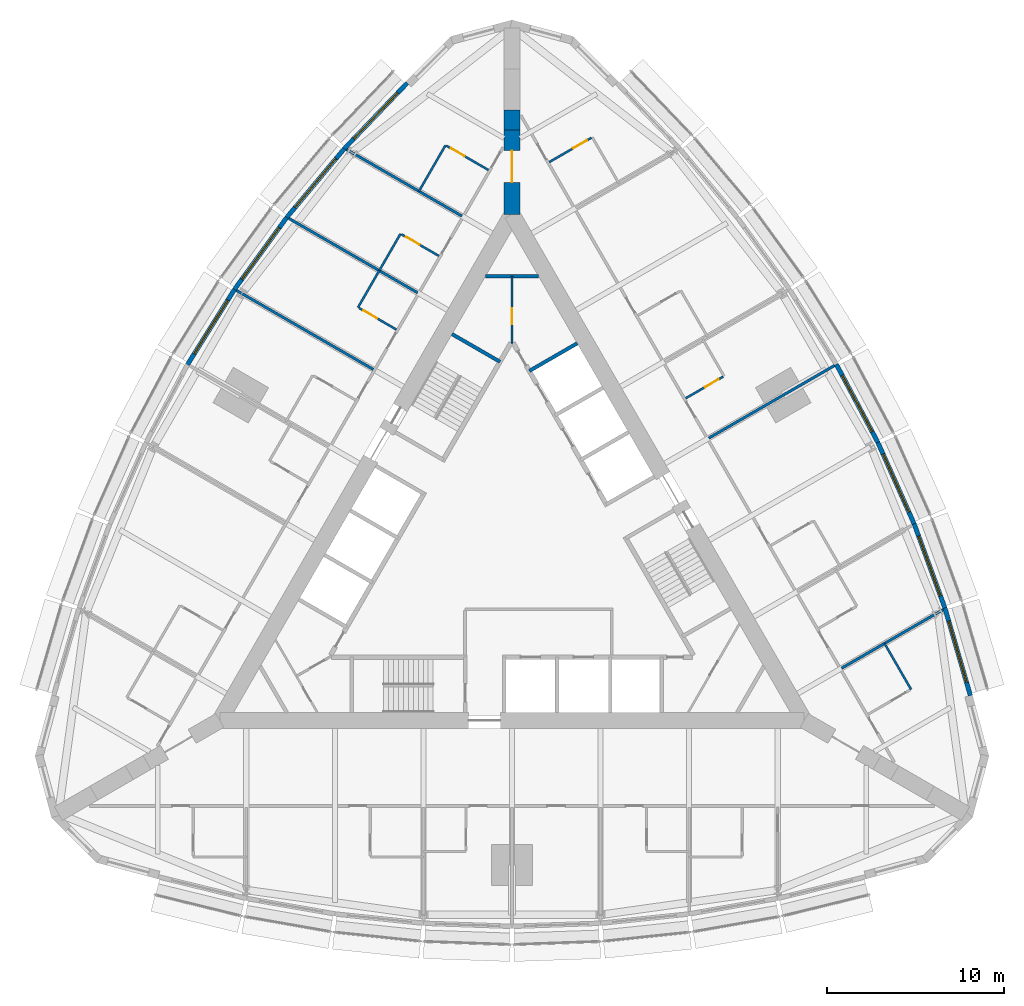
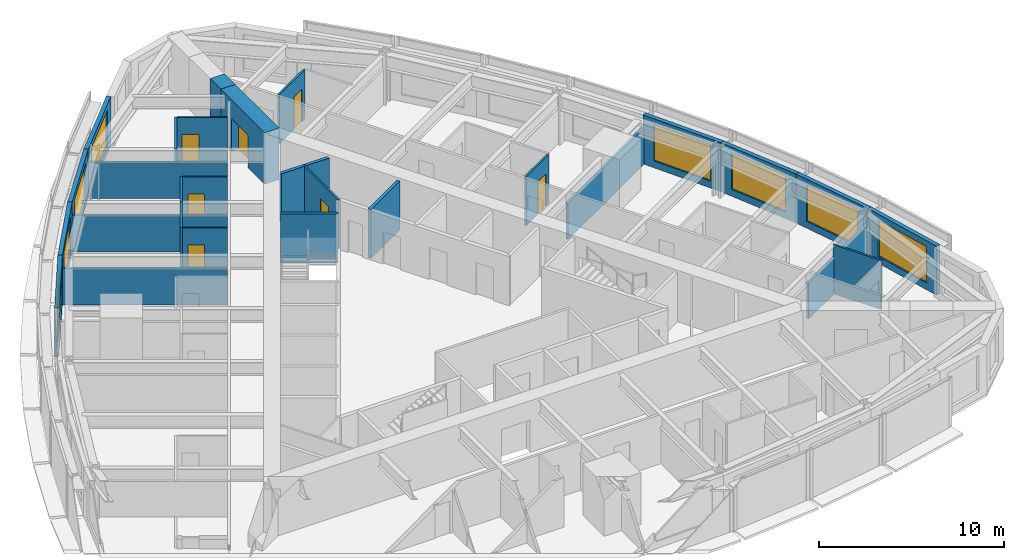
# One storey, part 12 of 14: 28 walls, 8 windows, 7 doors, 15 openings.
"""IFC4 building model written with IfcOpenShell, lengths in metres."""

from ifc_helpers import new_model, si_unit, direction, frame, frame_2d, origin, place, context, subcontext, project, spatial, rectangle, extrude, material, layer, layer_set, type_object, element, fill, save


model = new_model("IFC4")

# Units and contexts
model_context = context("Model", 3, precision=1e-05, world=origin(), true_north=direction((0.0, 1.0)))
body_context = subcontext(model_context, "Body", "Model", "MODEL_VIEW")
ifc_project = project(units=[si_unit("LENGTHUNIT", "METRE"), si_unit("AREAUNIT", "SQUARE_METRE"), si_unit("VOLUMEUNIT", "CUBIC_METRE"), si_unit("PLANEANGLEUNIT", "RADIAN"), si_unit("MASSUNIT", "GRAM", prefix="KILO")], contexts=[model_context])

# Site, building, storey
site_placement = place(None, origin())
site = spatial("IfcSite", under=ifc_project, at=site_placement, CompositionType="ELEMENT")
building_placement = place(site_placement, origin())
building = spatial("IfcBuilding", under=site, at=building_placement, Name="Trikona Tower", CompositionType="ELEMENT")
storey_placement = place(building_placement, frame((0.0, 0.0, 131.699951171875)))
storey = spatial("IfcBuildingStorey", under=building, at=storey_placement, Name="L34", CompositionType="ELEMENT", Elevation=131.699951171875)

# Wall
ifc_material_1 = material(Name="Metal stud and cement board", Category="gypsum")
ifc_layer_1 = layer(ifc_material_1, 0.1201171875)
ifc_layer_set_1 = layer_set([ifc_layer_1], Name="Bathroom wall 120")
wall_type_1 = type_object("IfcWallType", Name="Bathroom wall 120", PredefinedType="PLUMBINGWALL", material=ifc_layer_set_1)
wall_1_placement = place(storey_placement, frame((22.53271484375, -7.775390625, 0.0), z_axis=(0.0, 0.0, 1.0), x_axis=(-0.499990139034, 0.866031096941, 0.0)))
element("IfcWall", 1, at=wall_1_placement, inside=storey, type_object=wall_type_1, Name="Bathroom wall 3406", PredefinedType="PLUMBINGWALL", context=body_context, shape_type="SweptSolid", body=[
    extrude(rectangle(XDim=3.0, YDim=0.1201171875, at=frame_2d((1.5, 0.0))), origin(), (0.0, 0.0, 1.0), 3.235107421875),
])

# Wall, opening, door
wall_2_placement = place(storey_placement, frame((9.807861328125, 8.664794921875, 0.0), z_axis=(0.0, 0.0, 1.0), x_axis=(0.866023955769, 0.500002508028, 0.0)))
wall_2 = element("IfcWall", 2, at=wall_2_placement, inside=storey, type_object=wall_type_1, Name="Bathroom wall 3409", PredefinedType="PLUMBINGWALL", context=body_context, shape_type="SweptSolid", body=[
    extrude(rectangle(XDim=2.43994140625, YDim=0.1201171875, at=frame_2d((1.219970703125, 0.0))), origin(), (0.0, 0.0, 1.0), 3.235107421875),
])
opening_1_placement = place(wall_2_placement, frame((1.25, 0.0, 0.0)))
opening_1 = element("IfcOpeningElement", 3, at=opening_1_placement, cuts=wall_2, Name="Opening D2", PredefinedType="OPENING", context=body_context, shape_type="SweptSolid", body=[
    extrude(rectangle(XDim=0.89990234375, YDim=2.1298828125, at=frame_2d((0.449951171875, 1.06494140625))), frame((0.0, 0.070068359375, 0.0), z_axis=(0.0, -1.0, 0.0), x_axis=(1.0, 0.0, 0.0)), (0.0, 0.0, 1.0), 0.14013671875),
])
ifc_material_2 = material(Name="Steel door frame with solid-core timber leaf", Category="steel")
door_type_1 = type_object("IfcDoorType", Name="Bathroom door 900x2130", OperationType="SLIDING_TO_LEFT", PredefinedType="DOOR", material=ifc_material_2)
door_1_placement = place(opening_1_placement, origin())
door_1 = element("IfcDoor", 4, at=door_1_placement, inside=storey, type_object=door_type_1, Name="Bathroom door 3409", OperationType="SLIDING_TO_LEFT", OverallHeight=2.1298828125, OverallWidth=0.89990234375, PredefinedType="DOOR", context=body_context, shape_type="SweptSolid", body=[
    extrude(rectangle(XDim=0.89990234375, YDim=2.1298828125, at=frame_2d((0.449951171875, 1.06494140625))), frame((0.0, 0.02490234375, 0.0), z_axis=(0.0, -1.0, 0.0), x_axis=(1.0, 0.0, 0.0)), (0.0, 0.0, 1.0), 0.050048828125),
])
fill(opening_1, door_1)

wall_3_placement = place(storey_placement, frame((2.10791015625, 22.001708984375, 0.0), z_axis=(0.0, 0.0, 1.0), x_axis=(0.866035715982, 0.499982138324, 0.0)))
wall_3 = element("IfcWall", 5, at=wall_3_placement, inside=storey, type_object=wall_type_1, Name="Bathroom wall 3411", PredefinedType="PLUMBINGWALL", context=body_context, shape_type="SweptSolid", body=[
    extrude(rectangle(XDim=2.73974609375, YDim=0.1201171875, at=frame_2d((1.369873046875, 0.0))), origin(), (0.0, 0.0, 1.0), 3.235107421875),
])
opening_2_placement = place(wall_3_placement, frame((1.550048828125, 0.0, 0.0)))
opening_2 = element("IfcOpeningElement", 6, at=opening_2_placement, cuts=wall_3, Name="Opening D2", PredefinedType="OPENING", context=body_context, shape_type="SweptSolid", body=[
    extrude(rectangle(XDim=0.89990234375, YDim=2.1298828125, at=frame_2d((0.449951171875, 1.06494140625))), frame((0.0, 0.070068359375, 0.0), z_axis=(0.0, -1.0, 0.0), x_axis=(1.0, 0.0, 0.0)), (0.0, 0.0, 1.0), 0.14013671875),
])
door_2_placement = place(opening_2_placement, origin())
door_2 = element("IfcDoor", 7, at=door_2_placement, inside=storey, type_object=door_type_1, Name="Bathroom door 3411", OperationType="SLIDING_TO_LEFT", OverallHeight=2.1298828125, OverallWidth=0.89990234375, PredefinedType="DOOR", context=body_context, shape_type="SweptSolid", body=[
    extrude(rectangle(XDim=0.89990234375, YDim=2.1298828125, at=frame_2d((0.449951171875, 1.06494140625))), frame((0.0, 0.02490234375, 0.0), z_axis=(0.0, -1.0, 0.0), x_axis=(1.0, 0.0, 0.0)), (0.0, 0.0, 1.0), 0.050048828125),
])
fill(opening_2, door_2)

# Wall
wall_4_placement = place(storey_placement, frame((-3.75341796875, 22.95166015625, 0.0), z_axis=(0.0, 0.0, 1.0), x_axis=(-0.499990139034, -0.866031096941, 0.0)))
element("IfcWall", 8, at=wall_4_placement, inside=storey, type_object=wall_type_1, Name="Bathroom wall 3412", PredefinedType="PLUMBINGWALL", context=body_context, shape_type="SweptSolid", body=[
    extrude(rectangle(XDim=3.0, YDim=0.1201171875, at=frame_2d((1.5, 0.0))), origin(), (0.0, 0.0, 1.0), 3.235107421875),
])

# Wall, opening, door
wall_5_placement = place(storey_placement, frame((-1.32861328125, 21.551513671875, 0.0), z_axis=(0.0, 0.0, 1.0), x_axis=(-0.865997131366, 0.500048966069, 0.0)))
wall_5 = element("IfcWall", 9, at=wall_5_placement, inside=storey, type_object=wall_type_1, Name="Bathroom wall 3412", PredefinedType="PLUMBINGWALL", context=body_context, shape_type="SweptSolid", body=[
    extrude(rectangle(XDim=2.739990234375, YDim=0.1201171875, at=frame_2d((1.3701171875, 0.0))), origin(), (0.0, 0.0, 1.0), 3.235107421875),
])
opening_3_placement = place(wall_5_placement, frame((1.550048828125, 0.0, 0.0)))
opening_3 = element("IfcOpeningElement", 10, at=opening_3_placement, cuts=wall_5, Name="Opening D2", PredefinedType="OPENING", context=body_context, shape_type="SweptSolid", body=[
    extrude(rectangle(XDim=0.89990234375, YDim=2.1298828125, at=frame_2d((0.449951171875, 1.06494140625))), frame((0.0, 0.070068359375, 0.0), z_axis=(0.0, -1.0, 0.0), x_axis=(1.0, 0.0, 0.0)), (0.0, 0.0, 1.0), 0.14013671875),
])
door_3_placement = place(opening_3_placement, origin())
door_3 = element("IfcDoor", 11, at=door_3_placement, inside=storey, type_object=door_type_1, Name="Bathroom door 3412", OperationType="SLIDING_TO_LEFT", OverallHeight=2.1298828125, OverallWidth=0.89990234375, PredefinedType="DOOR", context=body_context, shape_type="SweptSolid", body=[
    extrude(rectangle(XDim=0.89990234375, YDim=2.1298828125, at=frame_2d((0.449951171875, 1.06494140625))), frame((0.0, 0.02490234375, 0.0), z_axis=(0.0, -1.0, 0.0), x_axis=(1.0, 0.0, 0.0)), (0.0, 0.0, 1.0), 0.050048828125),
])
fill(opening_3, door_3)

# Wall
wall_6_placement = place(storey_placement, frame((-6.29345703125, 17.951904296875, 0.0), z_axis=(0.0, 0.0, 1.0), x_axis=(-0.499957262057, -0.866050077142, 0.0)))
element("IfcWall", 12, at=wall_6_placement, inside=storey, type_object=wall_type_1, Name="Bathroom wall 3413", PredefinedType="PLUMBINGWALL", context=body_context, shape_type="SweptSolid", body=[
    extrude(rectangle(XDim=2.400146484375, YDim=0.1201171875, at=frame_2d((1.2001953125, 0.0))), origin(), (0.0, 0.0, 1.0), 3.235107421875),
])

# Wall, opening, door
wall_7_placement = place(storey_placement, frame((-4.12841796875, 16.701904296875, 0.0), z_axis=(0.0, 0.0, 1.0), x_axis=(-0.866048967903, 0.499959183527, 0.0)))
wall_7 = element("IfcWall", 13, at=wall_7_placement, inside=storey, type_object=wall_type_1, Name="Bathroom wall 3413", PredefinedType="PLUMBINGWALL", context=body_context, shape_type="SweptSolid", body=[
    extrude(rectangle(XDim=2.440185546875, YDim=0.1201171875, at=frame_2d((1.22021484375, 0.0))), origin(), (0.0, 0.0, 1.0), 3.235107421875),
])
opening_4_placement = place(wall_7_placement, frame((1.25, 0.0, 0.0)))
opening_4 = element("IfcOpeningElement", 14, at=opening_4_placement, cuts=wall_7, Name="Opening D2", PredefinedType="OPENING", context=body_context, shape_type="SweptSolid", body=[
    extrude(rectangle(XDim=0.89990234375, YDim=2.1298828125, at=frame_2d((0.449951171875, 1.06494140625))), frame((0.0, 0.070068359375, 0.0), z_axis=(0.0, -1.0, 0.0), x_axis=(1.0, 0.0, 0.0)), (0.0, 0.0, 1.0), 0.14013671875),
])
door_4_placement = place(opening_4_placement, origin())
door_4 = element("IfcDoor", 15, at=door_4_placement, inside=storey, type_object=door_type_1, Name="Bathroom door 3413", OperationType="SLIDING_TO_LEFT", OverallHeight=2.1298828125, OverallWidth=0.89990234375, PredefinedType="DOOR", context=body_context, shape_type="SweptSolid", body=[
    extrude(rectangle(XDim=0.89990234375, YDim=2.1298828125, at=frame_2d((0.449951171875, 1.06494140625))), frame((0.0, 0.02490234375, 0.0), z_axis=(0.0, -1.0, 0.0), x_axis=(1.0, 0.0, 0.0)), (0.0, 0.0, 1.0), 0.050048828125),
])
fill(opening_4, door_4)

# Wall
wall_8_placement = place(storey_placement, frame((-7.493408203125, 15.873291015625, 0.0), z_axis=(0.0, 0.0, 1.0), x_axis=(-0.500077600433, -0.865980596518, 0.0)))
element("IfcWall", 16, at=wall_8_placement, inside=storey, type_object=wall_type_1, Name="Bathroom wall 3414", PredefinedType="PLUMBINGWALL", context=body_context, shape_type="SweptSolid", body=[
    extrude(rectangle(XDim=2.39990234375, YDim=0.1201171875, at=frame_2d((1.199951171875, 0.0))), origin(), (0.0, 0.0, 1.0), 3.235107421875),
])

# Wall, opening, door
wall_9_placement = place(storey_placement, frame((-6.528564453125, 12.544921875, 0.0), z_axis=(0.0, 0.0, 1.0), x_axis=(-0.866023955769, 0.500002508028, 0.0)))
wall_9 = element("IfcWall", 17, at=wall_9_placement, inside=storey, type_object=wall_type_1, Name="Bathroom wall 3414", PredefinedType="PLUMBINGWALL", context=body_context, shape_type="SweptSolid", body=[
    extrude(rectangle(XDim=2.43994140625, YDim=0.1201171875, at=frame_2d((1.219970703125, 0.0))), origin(), (0.0, 0.0, 1.0), 3.235107421875),
])
opening_5_placement = place(wall_9_placement, frame((1.25, 0.0, 0.0)))
opening_5 = element("IfcOpeningElement", 18, at=opening_5_placement, cuts=wall_9, Name="Opening D2", PredefinedType="OPENING", context=body_context, shape_type="SweptSolid", body=[
    extrude(rectangle(XDim=0.89990234375, YDim=2.1298828125, at=frame_2d((0.449951171875, 1.06494140625))), frame((0.0, 0.070068359375, 0.0), z_axis=(0.0, -1.0, 0.0), x_axis=(1.0, 0.0, 0.0)), (0.0, 0.0, 1.0), 0.14013671875),
])
door_5_placement = place(opening_5_placement, origin())
door_5 = element("IfcDoor", 19, at=door_5_placement, inside=storey, type_object=door_type_1, Name="Bathroom door 3414", OperationType="SLIDING_TO_LEFT", OverallHeight=2.1298828125, OverallWidth=0.89990234375, PredefinedType="DOOR", context=body_context, shape_type="SweptSolid", body=[
    extrude(rectangle(XDim=0.89990234375, YDim=2.1298828125, at=frame_2d((0.449951171875, 1.06494140625))), frame((0.0, 0.02490234375, 0.0), z_axis=(0.0, -1.0, 0.0), x_axis=(1.0, 0.0, 0.0)), (0.0, 0.0, 1.0), 0.050048828125),
])
fill(opening_5, door_5)

ifc_material_3 = material(Name="Concrete f'c 10000 psi", Category="concrete")
ifc_layer_2 = layer(ifc_material_3, 0.89990234375)
ifc_layer_set_2 = layer_set([ifc_layer_2], Name="Buttress wall 900")
wall_type_2 = type_object("IfcWallType", Name="Buttress wall 900", PredefinedType="SHEAR", material=ifc_layer_set_2)
wall_10_placement = place(storey_placement, frame((0.0, 19.052490234375, 0.0), z_axis=(0.0, 0.0, 1.0), x_axis=(0.0, 1.0, 0.0)))
wall_10 = element("IfcWall", 20, at=wall_10_placement, inside=storey, type_object=wall_type_2, Name="Buttress wall 2", PredefinedType="SHEAR", context=body_context, shape_type="SweptSolid", body=[
    extrude(rectangle(XDim=4.74609375, YDim=0.89990234375, at=frame_2d((2.373046875, 0.0))), origin(), (0.0, 0.0, 1.0), 3.400146484375),
])
opening_6_placement = place(wall_10_placement, frame((1.800048828125, 0.0, 0.0)))
opening_6 = element("IfcOpeningElement", 21, at=opening_6_placement, cuts=wall_10, Name="Opening D10", PredefinedType="OPENING", context=body_context, shape_type="SweptSolid", body=[
    extrude(rectangle(XDim=1.800048828125, YDim=2.1298828125, at=frame_2d((0.89990234375, 1.06494140625))), frame((0.0, 0.4599609375, 0.0), z_axis=(0.0, -1.0, 0.0), x_axis=(1.0, 0.0, 0.0)), (0.0, 0.0, 1.0), 0.919921875),
])
ifc_material_4 = material(Name="Hollow metal door and frame", Category="steel")
door_type_2 = type_object("IfcDoorType", Name="Cross-corridor door pair 1800x2130", OperationType="DOUBLE_DOOR_DOUBLE_SWING", PredefinedType="DOOR", material=ifc_material_4)
door_6_placement = place(opening_6_placement, origin())
door_6 = element("IfcDoor", 22, at=door_6_placement, inside=storey, type_object=door_type_2, Name="Cross-corridor door 2", OperationType="DOUBLE_DOOR_DOUBLE_SWING", OverallHeight=2.1298828125, OverallWidth=1.800048828125, PredefinedType="DOOR", context=body_context, shape_type="SweptSolid", body=[
    extrude(rectangle(XDim=1.800048828125, YDim=2.1298828125, at=frame_2d((0.89990234375, 1.06494140625))), frame((0.0, 0.02490234375, 0.0), z_axis=(0.0, -1.0, 0.0), x_axis=(1.0, 0.0, 0.0)), (0.0, 0.0, 1.0), 0.050048828125),
])
fill(opening_6, door_6)

# Wall
wall_11_placement = place(storey_placement, frame((0.0, 23.798583984375, 0.0), z_axis=(0.0, 0.0, 1.0), x_axis=(0.0, 1.0, 0.0)))
element("IfcWall", 23, at=wall_11_placement, inside=storey, type_object=wall_type_2, Name="Buttress wall 2 part 2", PredefinedType="SHEAR", context=body_context, shape_type="SweptSolid", body=[
    extrude(rectangle(XDim=1.15478515625, YDim=0.89990234375, at=frame_2d((0.577392578125, 0.0))), origin(), (0.0, 0.0, 1.0), 3.400146484375),
])

# Wall, opening, window
ifc_material_5 = material(Name="Insulated precast concrete spandrel panel", Category="concrete")
ifc_layer_3 = layer(ifc_material_5, 0.25)
ifc_layer_set_3 = layer_set([ifc_layer_3], Name="Inner skin wall 250")
wall_type_3 = type_object("IfcWallType", Name="Inner skin wall 250", PredefinedType="STANDARD", material=ifc_layer_set_3)
wall_12_placement = place(storey_placement, frame((25.8798828125, -8.117919921875, 0.0), z_axis=(0.0, 0.0, 1.0), x_axis=(-0.279528287117, 0.960137457191, 0.0)))
wall_12 = element("IfcWall", 24, at=wall_12_placement, inside=storey, type_object=wall_type_3, Name="External wall L34-12", PredefinedType="STANDARD", context=body_context, shape_type="SweptSolid", body=[
    extrude(rectangle(XDim=5.14794921875, YDim=0.25, at=frame_2d((2.573974609375, 0.0))), origin(), (0.0, 0.0, 1.0), 3.235107421875),
])
opening_7_placement = place(wall_12_placement, frame((0.77392578125, 0.0, 0.449951171875)))
opening_7 = element("IfcOpeningElement", 25, at=opening_7_placement, cuts=wall_12, Name="Opening W3624", PredefinedType="OPENING", context=body_context, shape_type="SweptSolid", body=[
    extrude(rectangle(XDim=3.60009765625, YDim=2.39990234375, at=frame_2d((1.800048828125, 1.199951171875))), frame((0.0, 0.135009765625, 0.0), z_axis=(0.0, -1.0, 0.0), x_axis=(1.0, 0.0, 0.0)), (0.0, 0.0, 1.0), 0.27001953125),
])
ifc_material_6 = material(Name="Aluminium-framed double glazing", Category="aluminium")
window_type = type_object("IfcWindowType", Name="Window 3600x2400", PartitioningType="SINGLE_PANEL", PredefinedType="WINDOW", material=ifc_material_6)
window_1_placement = place(opening_7_placement, origin())
window_1 = element("IfcWindow", 26, at=window_1_placement, inside=storey, type_object=window_type, Name="Window 3406", OverallHeight=2.39990234375, OverallWidth=3.60009765625, PartitioningType="SINGLE_PANEL", PredefinedType="WINDOW", context=body_context, shape_type="SweptSolid", body=[
    extrude(rectangle(XDim=3.60009765625, YDim=2.39990234375, at=frame_2d((1.800048828125, 1.199951171875))), frame((0.0, 0.030029296875, 0.0), z_axis=(0.0, -1.0, 0.0), x_axis=(1.0, 0.0, 0.0)), (0.0, 0.0, 1.0), 0.06005859375),
])
fill(opening_7, window_1)

wall_13_placement = place(storey_placement, frame((24.443603515625, -3.18310546875, 0.0), z_axis=(0.0, 0.0, 1.0), x_axis=(-0.343225593282, 0.939252996863, 0.0)))
wall_13 = element("IfcWall", 27, at=wall_13_placement, inside=storey, type_object=wall_type_3, Name="External wall L34-13", PredefinedType="STANDARD", context=body_context, shape_type="SweptSolid", body=[
    extrude(rectangle(XDim=5.075927734375, YDim=0.25, at=frame_2d((2.5380859375, 0.0))), origin(), (0.0, 0.0, 1.0), 3.235107421875),
])
opening_8_placement = place(wall_13_placement, frame((0.738037109375, 0.0, 0.449951171875)))
opening_8 = element("IfcOpeningElement", 28, at=opening_8_placement, cuts=wall_13, Name="Opening W3624", PredefinedType="OPENING", context=body_context, shape_type="SweptSolid", body=[
    extrude(rectangle(XDim=3.60009765625, YDim=2.39990234375, at=frame_2d((1.800048828125, 1.199951171875))), frame((0.0, 0.135009765625, 0.0), z_axis=(0.0, -1.0, 0.0), x_axis=(1.0, 0.0, 0.0)), (0.0, 0.0, 1.0), 0.27001953125),
])
window_2_placement = place(opening_8_placement, origin())
window_2 = element("IfcWindow", 29, at=window_2_placement, inside=storey, type_object=window_type, Name="Window 3407", OverallHeight=2.39990234375, OverallWidth=3.60009765625, PartitioningType="SINGLE_PANEL", PredefinedType="WINDOW", context=body_context, shape_type="SweptSolid", body=[
    extrude(rectangle(XDim=3.60009765625, YDim=2.39990234375, at=frame_2d((1.800048828125, 1.199951171875))), frame((0.0, 0.030029296875, 0.0), z_axis=(0.0, -1.0, 0.0), x_axis=(1.0, 0.0, 0.0)), (0.0, 0.0, 1.0), 0.06005859375),
])
fill(opening_8, window_2)

wall_14_placement = place(storey_placement, frame((22.70458984375, 1.576416015625, 0.0), z_axis=(0.0, 0.0, 1.0), x_axis=(-0.406832200364, 0.913502906808, 0.0)))
wall_14 = element("IfcWall", 30, at=wall_14_placement, inside=storey, type_object=wall_type_3, Name="External wall L34-14", PredefinedType="STANDARD", context=body_context, shape_type="SweptSolid", body=[
    extrude(rectangle(XDim=5.027587890625, YDim=0.25, at=frame_2d((2.513671875, 0.0))), origin(), (0.0, 0.0, 1.0), 3.235107421875),
])
opening_9_placement = place(wall_14_placement, frame((0.713623046875, 0.0, 0.449951171875)))
opening_9 = element("IfcOpeningElement", 31, at=opening_9_placement, cuts=wall_14, Name="Opening W3624", PredefinedType="OPENING", context=body_context, shape_type="SweptSolid", body=[
    extrude(rectangle(XDim=3.60009765625, YDim=2.39990234375, at=frame_2d((1.800048828125, 1.199951171875))), frame((0.0, 0.135009765625, 0.0), z_axis=(0.0, -1.0, 0.0), x_axis=(1.0, 0.0, 0.0)), (0.0, 0.0, 1.0), 0.27001953125),
])
window_3_placement = place(opening_9_placement, origin())
window_3 = element("IfcWindow", 32, at=window_3_placement, inside=storey, type_object=window_type, Name="Window 3408", OverallHeight=2.39990234375, OverallWidth=3.60009765625, PartitioningType="SINGLE_PANEL", PredefinedType="WINDOW", context=body_context, shape_type="SweptSolid", body=[
    extrude(rectangle(XDim=3.60009765625, YDim=2.39990234375, at=frame_2d((1.800048828125, 1.199951171875))), frame((0.0, 0.030029296875, 0.0), z_axis=(0.0, -1.0, 0.0), x_axis=(1.0, 0.0, 0.0)), (0.0, 0.0, 1.0), 0.06005859375),
])
fill(opening_9, window_3)

wall_15_placement = place(storey_placement, frame((20.662841796875, 6.161376953125, 0.0), z_axis=(0.0, 0.0, 1.0), x_axis=(-0.469404966864, 0.882982999317, 0.0)))
wall_15 = element("IfcWall", 33, at=wall_15_placement, inside=storey, type_object=wall_type_3, Name="External wall L34-15", PredefinedType="STANDARD", context=body_context, shape_type="SweptSolid", body=[
    extrude(rectangle(XDim=5.0029296875, YDim=0.25, at=frame_2d((2.50146484375, 0.0))), origin(), (0.0, 0.0, 1.0), 3.235107421875),
])
opening_10_placement = place(wall_15_placement, frame((0.701416015625, 0.0, 0.449951171875)))
opening_10 = element("IfcOpeningElement", 34, at=opening_10_placement, cuts=wall_15, Name="Opening W3624", PredefinedType="OPENING", context=body_context, shape_type="SweptSolid", body=[
    extrude(rectangle(XDim=3.60009765625, YDim=2.39990234375, at=frame_2d((1.800048828125, 1.199951171875))), frame((0.0, 0.135009765625, 0.0), z_axis=(0.0, -1.0, 0.0), x_axis=(1.0, 0.0, 0.0)), (0.0, 0.0, 1.0), 0.27001953125),
])
window_4_placement = place(opening_10_placement, origin())
window_4 = element("IfcWindow", 35, at=window_4_placement, inside=storey, type_object=window_type, Name="Window 3408", OverallHeight=2.39990234375, OverallWidth=3.60009765625, PartitioningType="SINGLE_PANEL", PredefinedType="WINDOW", context=body_context, shape_type="SweptSolid", body=[
    extrude(rectangle(XDim=3.60009765625, YDim=2.39990234375, at=frame_2d((1.800048828125, 1.199951171875))), frame((0.0, 0.030029296875, 0.0), z_axis=(0.0, -1.0, 0.0), x_axis=(1.0, 0.0, 0.0)), (0.0, 0.0, 1.0), 0.06005859375),
])
fill(opening_10, window_4)

wall_16_placement = place(storey_placement, frame((-5.90966796875, 26.4716796875, 0.0), z_axis=(0.0, 0.0, 1.0), x_axis=(-0.691719937936, -0.722165858693, 0.0)))
wall_16 = element("IfcWall", 36, at=wall_16_placement, inside=storey, type_object=wall_type_3, Name="External wall L34-24", PredefinedType="STANDARD", context=body_context, shape_type="SweptSolid", body=[
    extrude(rectangle(XDim=5.148193359375, YDim=0.25, at=frame_2d((2.57421875, 0.0))), origin(), (0.0, 0.0, 1.0), 3.235107421875),
])
opening_11_placement = place(wall_16_placement, frame((0.77392578125, 0.0, 0.449951171875)))
opening_11 = element("IfcOpeningElement", 37, at=opening_11_placement, cuts=wall_16, Name="Opening W3624", PredefinedType="OPENING", context=body_context, shape_type="SweptSolid", body=[
    extrude(rectangle(XDim=3.60009765625, YDim=2.39990234375, at=frame_2d((1.800048828125, 1.199951171875))), frame((0.0, 0.135009765625, 0.0), z_axis=(0.0, -1.0, 0.0), x_axis=(1.0, 0.0, 0.0)), (0.0, 0.0, 1.0), 0.27001953125),
])
window_5_placement = place(opening_11_placement, origin())
window_5 = element("IfcWindow", 38, at=window_5_placement, inside=storey, type_object=window_type, Name="Window 3412", OverallHeight=2.39990234375, OverallWidth=3.60009765625, PartitioningType="SINGLE_PANEL", PredefinedType="WINDOW", context=body_context, shape_type="SweptSolid", body=[
    extrude(rectangle(XDim=3.60009765625, YDim=2.39990234375, at=frame_2d((1.800048828125, 1.199951171875))), frame((0.0, 0.030029296875, 0.0), z_axis=(0.0, -1.0, 0.0), x_axis=(1.0, 0.0, 0.0)), (0.0, 0.0, 1.0), 0.06005859375),
])
fill(opening_11, window_5)

wall_17_placement = place(storey_placement, frame((-9.465087890625, 22.76025390625, 0.0), z_axis=(0.0, 0.0, 1.0), x_axis=(-0.641810386606, -0.766863369607, 0.0)))
wall_17 = element("IfcWall", 39, at=wall_17_placement, inside=storey, type_object=wall_type_3, Name="External wall L34-25", PredefinedType="STANDARD", context=body_context, shape_type="SweptSolid", body=[
    extrude(rectangle(XDim=5.075927734375, YDim=0.25, at=frame_2d((2.5380859375, 0.0))), origin(), (0.0, 0.0, 1.0), 3.235107421875),
])
opening_12_placement = place(wall_17_placement, frame((0.738037109375, 0.0, 0.449951171875)))
opening_12 = element("IfcOpeningElement", 40, at=opening_12_placement, cuts=wall_17, Name="Opening W3624", PredefinedType="OPENING", context=body_context, shape_type="SweptSolid", body=[
    extrude(rectangle(XDim=3.60009765625, YDim=2.39990234375, at=frame_2d((1.800048828125, 1.199951171875))), frame((0.0, 0.135009765625, 0.0), z_axis=(0.0, -1.0, 0.0), x_axis=(1.0, 0.0, 0.0)), (0.0, 0.0, 1.0), 0.27001953125),
])
window_6_placement = place(opening_12_placement, origin())
window_6 = element("IfcWindow", 41, at=window_6_placement, inside=storey, type_object=window_type, Name="Window 3413", OverallHeight=2.39990234375, OverallWidth=3.60009765625, PartitioningType="SINGLE_PANEL", PredefinedType="WINDOW", context=body_context, shape_type="SweptSolid", body=[
    extrude(rectangle(XDim=3.60009765625, YDim=2.39990234375, at=frame_2d((1.800048828125, 1.199951171875))), frame((0.0, 0.030029296875, 0.0), z_axis=(0.0, -1.0, 0.0), x_axis=(1.0, 0.0, 0.0)), (0.0, 0.0, 1.0), 0.06005859375),
])
fill(opening_12, window_6)

wall_18_placement = place(storey_placement, frame((-12.717529296875, 18.87451171875, 0.0), z_axis=(0.0, 0.0, 1.0), x_axis=(-0.587669188412, -0.809101307001, 0.0)))
wall_18 = element("IfcWall", 42, at=wall_18_placement, inside=storey, type_object=wall_type_3, Name="External wall L34-26", PredefinedType="STANDARD", context=body_context, shape_type="SweptSolid", body=[
    extrude(rectangle(XDim=5.027587890625, YDim=0.25, at=frame_2d((2.513671875, 0.0))), origin(), (0.0, 0.0, 1.0), 3.235107421875),
])
opening_13_placement = place(wall_18_placement, frame((0.7138671875, 0.0, 0.449951171875)))
opening_13 = element("IfcOpeningElement", 43, at=opening_13_placement, cuts=wall_18, Name="Opening W3624", PredefinedType="OPENING", context=body_context, shape_type="SweptSolid", body=[
    extrude(rectangle(XDim=3.60009765625, YDim=2.39990234375, at=frame_2d((1.800048828125, 1.199951171875))), frame((0.0, 0.135009765625, 0.0), z_axis=(0.0, -1.0, 0.0), x_axis=(1.0, 0.0, 0.0)), (0.0, 0.0, 1.0), 0.27001953125),
])
window_7_placement = place(opening_13_placement, origin())
window_7 = element("IfcWindow", 44, at=window_7_placement, inside=storey, type_object=window_type, Name="Window 3414", OverallHeight=2.39990234375, OverallWidth=3.60009765625, PartitioningType="SINGLE_PANEL", PredefinedType="WINDOW", context=body_context, shape_type="SweptSolid", body=[
    extrude(rectangle(XDim=3.60009765625, YDim=2.39990234375, at=frame_2d((1.800048828125, 1.199951171875))), frame((0.0, 0.030029296875, 0.0), z_axis=(0.0, -1.0, 0.0), x_axis=(1.0, 0.0, 0.0)), (0.0, 0.0, 1.0), 0.06005859375),
])
fill(opening_13, window_7)

wall_19_placement = place(storey_placement, frame((-15.667236328125, 14.81396484375, 0.0), z_axis=(0.0, 0.0, 1.0), x_axis=(-0.529990167382, -0.84800378683, 0.0)))
wall_19 = element("IfcWall", 45, at=wall_19_placement, inside=storey, type_object=wall_type_3, Name="External wall L34-27", PredefinedType="STANDARD", context=body_context, shape_type="SweptSolid", body=[
    extrude(rectangle(XDim=5.003173828125, YDim=0.25, at=frame_2d((2.50146484375, 0.0))), origin(), (0.0, 0.0, 1.0), 3.235107421875),
])
opening_14_placement = place(wall_19_placement, frame((0.701416015625, 0.0, 0.449951171875)))
opening_14 = element("IfcOpeningElement", 46, at=opening_14_placement, cuts=wall_19, Name="Opening W3624", PredefinedType="OPENING", context=body_context, shape_type="SweptSolid", body=[
    extrude(rectangle(XDim=3.60009765625, YDim=2.39990234375, at=frame_2d((1.800048828125, 1.199951171875))), frame((0.0, 0.135009765625, 0.0), z_axis=(0.0, -1.0, 0.0), x_axis=(1.0, 0.0, 0.0)), (0.0, 0.0, 1.0), 0.27001953125),
])
window_8_placement = place(opening_14_placement, origin())
window_8 = element("IfcWindow", 47, at=window_8_placement, inside=storey, type_object=window_type, Name="Window 3415", OverallHeight=2.39990234375, OverallWidth=3.60009765625, PartitioningType="SINGLE_PANEL", PredefinedType="WINDOW", context=body_context, shape_type="SweptSolid", body=[
    extrude(rectangle(XDim=3.60009765625, YDim=2.39990234375, at=frame_2d((1.800048828125, 1.199951171875))), frame((0.0, 0.030029296875, 0.0), z_axis=(0.0, -1.0, 0.0), x_axis=(1.0, 0.0, 0.0)), (0.0, 0.0, 1.0), 0.06005859375),
])
fill(opening_14, window_8)

# Walls
ifc_material_7 = material(Name="Metal stud and gypsum board, 1-hour acoustic", Category="gypsum")
ifc_layer_4 = layer(ifc_material_7, 0.14990234375)
ifc_layer_set_4 = layer_set([ifc_layer_4], Name="Party wall 150")
wall_type_4 = type_object("IfcWallType", Name="Party wall 150", PredefinedType="PARTITIONING", material=ifc_layer_set_4)
wall_20_placement = place(storey_placement, frame((18.60791015625, -6.5771484375, 0.0), z_axis=(0.0, 0.0, 1.0), x_axis=(0.866031967744, 0.499988630717, 0.0)))
element("IfcWall", 48, at=wall_20_placement, inside=storey, type_object=wall_type_4, Name="Partition L34 F2 u-15", PredefinedType="PARTITIONING", context=body_context, shape_type="SweptSolid", body=[
    extrude(rectangle(XDim=6.616455078125, YDim=0.14990234375, at=frame_2d((3.30810546875, 0.0))), origin(), (0.0, 0.0, 1.0), 2.38916015625),
])
wall_21_placement = place(storey_placement, frame((11.10791015625, 6.4130859375, 0.0), z_axis=(0.0, 0.0, 1.0), x_axis=(0.866026407964, 0.499998260706, 0.0)))
element("IfcWall", 49, at=wall_21_placement, inside=storey, type_object=wall_type_4, Name="Partition L34 F2 u-4.44089e-15", PredefinedType="PARTITIONING", context=body_context, shape_type="SweptSolid", body=[
    extrude(rectangle(XDim=8.19873046875, YDim=0.14990234375, at=frame_2d((4.099365234375, 0.0))), origin(), (0.0, 0.0, 1.0), 2.38916015625),
])
wall_22_placement = place(storey_placement, frame((-2.82861328125, 18.95361328125, 0.0), z_axis=(0.0, 0.0, 1.0), x_axis=(-0.866015739374, 0.500016738876, 0.0)))
element("IfcWall", 50, at=wall_22_placement, inside=storey, type_object=wall_type_4, Name="Partition L34 F3 u-15", PredefinedType="PARTITIONING", context=body_context, shape_type="SweptSolid", body=[
    extrude(rectangle(XDim=7.516357421875, YDim=0.14990234375, at=frame_2d((3.75830078125, 0.0))), origin(), (0.0, 0.0, 1.0), 2.38916015625),
])
wall_23_placement = place(storey_placement, frame((-5.32861328125, 14.623291015625, 0.0), z_axis=(0.0, 0.0, 1.0), x_axis=(-0.866011723728, 0.500023693804, 0.0)))
element("IfcWall", 51, at=wall_23_placement, inside=storey, type_object=wall_type_4, Name="Partition L34 F3 u-10", PredefinedType="PARTITIONING", context=body_context, shape_type="SweptSolid", body=[
    extrude(rectangle(XDim=8.39501953125, YDim=0.14990234375, at=frame_2d((4.197509765625, 0.0))), origin(), (0.0, 0.0, 1.0), 2.38916015625),
])
wall_24_placement = place(storey_placement, frame((-7.82861328125, 10.293212890625, 0.0), z_axis=(0.0, 0.0, 1.0), x_axis=(-0.866027015393, 0.499997208602, 0.0)))
element("IfcWall", 52, at=wall_24_placement, inside=storey, type_object=wall_type_4, Name="Partition L34 F3 u-5", PredefinedType="PARTITIONING", context=body_context, shape_type="SweptSolid", body=[
    extrude(rectangle(XDim=8.92236328125, YDim=0.14990234375, at=frame_2d((4.461181640625, 0.0))), origin(), (0.0, 0.0, 1.0), 2.38916015625),
])
ifc_material_8 = material(Name="Concrete f'c 8000 psi", Category="concrete")
ifc_layer_5 = layer(ifc_material_8, 0.199951171875)
ifc_layer_set_5 = layer_set([ifc_layer_5], Name="Shaft wall 200")
wall_type_5 = type_object("IfcWallType", Name="Shaft wall 200", PredefinedType="SOLIDWALL", material=ifc_layer_set_5)
wall_25_placement = place(storey_placement, frame((0.97900390625, 10.20703125, 0.0), z_axis=(0.0, 0.0, 1.0), x_axis=(0.866022959057, 0.500004234368, 0.0)))
element("IfcWall", 53, at=wall_25_placement, inside=storey, type_object=wall_type_5, Name="Shaft wall B6", PredefinedType="SOLIDWALL", context=body_context, shape_type="SweptSolid", body=[
    extrude(rectangle(XDim=3.125, YDim=0.199951171875, at=frame_2d((1.5625, 0.0))), origin(), (0.0, 0.0, 1.0), 3.235107421875),
])
wall_26_placement = place(storey_placement, frame((-1.501220703125, 15.552490234375, 0.0), z_axis=(0.0, 0.0, 1.0), x_axis=(1.0, 0.0, 0.0)))
element("IfcWall", 54, at=wall_26_placement, inside=storey, type_object=wall_type_5, Name="Riser wall L34-RS2", PredefinedType="SOLIDWALL", context=body_context, shape_type="SweptSolid", body=[
    extrude(rectangle(XDim=3.00244140625, YDim=0.199951171875, at=frame_2d((1.501220703125, 0.0))), origin(), (0.0, 0.0, 1.0), 3.235107421875),
])
ifc_material_9 = material(Name="Concrete f'c 8000 psi", Category="concrete")
ifc_layer_6 = layer(ifc_material_9, 0.199951171875)
ifc_layer_set_6 = layer_set([ifc_layer_6], Name="Shaft wall 200 load-bearing")
wall_type_6 = type_object("IfcWallType", Name="Shaft wall 200 load-bearing", PredefinedType="SOLIDWALL", material=ifc_layer_set_6)
wall_27_placement = place(storey_placement, frame((-0.678955078125, 10.7265625, 0.0), z_axis=(0.0, 0.0, 1.0), x_axis=(-0.866022959057, 0.500004234368, 0.0)))
element("IfcWall", 55, at=wall_27_placement, inside=storey, type_object=wall_type_6, Name="Shaft wall C1", PredefinedType="SOLIDWALL", context=body_context, shape_type="SweptSolid", body=[
    extrude(rectangle(XDim=3.125, YDim=0.199951171875, at=frame_2d((1.5625, 0.0))), origin(), (0.0, 0.0, 1.0), 3.235107421875),
])

# Wall, opening, door
ifc_material_10 = material(Name="Metal stud and gypsum board, acoustic", Category="gypsum")
ifc_layer_7 = layer(ifc_material_10, 0.10009765625)
ifc_layer_set_7 = layer_set([ifc_layer_7], Name="Suite partition 100")
wall_type_7 = type_object("IfcWallType", Name="Suite partition 100", PredefinedType="PARTITIONING", material=ifc_layer_set_7)
wall_28_placement = place(storey_placement, frame((0.0, 15.552490234375, 0.0), z_axis=(0.0, 0.0, 1.0), x_axis=(0.0, -1.0, 0.0)))
wall_28 = element("IfcWall", 56, at=wall_28_placement, inside=storey, type_object=wall_type_7, Name="Store partition L34-RS2", PredefinedType="PARTITIONING", context=body_context, shape_type="SweptSolid", body=[
    extrude(rectangle(XDim=3.775146484375, YDim=0.10009765625, at=frame_2d((1.8876953125, 0.0))), origin(), (0.0, 0.0, 1.0), 3.235107421875),
])
opening_15_placement = place(wall_28_placement, frame((1.815185546875, 0.0, 0.0)))
opening_15 = element("IfcOpeningElement", 57, at=opening_15_placement, cuts=wall_28, Name="Opening D15", PredefinedType="OPENING", context=body_context, shape_type="SweptSolid", body=[
    extrude(rectangle(XDim=0.89990234375, YDim=2.1298828125, at=frame_2d((0.449951171875, 1.06494140625))), frame((0.0, 0.06005859375, 0.0), z_axis=(0.0, -1.0, 0.0), x_axis=(1.0, 0.0, 0.0)), (0.0, 0.0, 1.0), 0.1201171875),
])
ifc_material_11 = material(Name="Steel door frame with solid-core timber leaf", Category="steel")
door_type_3 = type_object("IfcDoorType", Name="Store door 900x2130", OperationType="SINGLE_SWING_LEFT", PredefinedType="DOOR", material=ifc_material_11)
door_7_placement = place(opening_15_placement, origin())
door_7 = element("IfcDoor", 58, at=door_7_placement, inside=storey, type_object=door_type_3, Name="Door Luggage store LUG", OperationType="SINGLE_SWING_RIGHT", OverallHeight=2.1298828125, OverallWidth=0.89990234375, PredefinedType="DOOR", context=body_context, shape_type="SweptSolid", body=[
    extrude(rectangle(XDim=0.89990234375, YDim=2.1298828125, at=frame_2d((0.449951171875, 1.06494140625))), frame((0.0, 0.02490234375, 0.0), z_axis=(0.0, -1.0, 0.0), x_axis=(1.0, 0.0, 0.0)), (0.0, 0.0, 1.0), 0.050048828125),
])
fill(opening_15, door_7)

save(model, "model.ifc")
